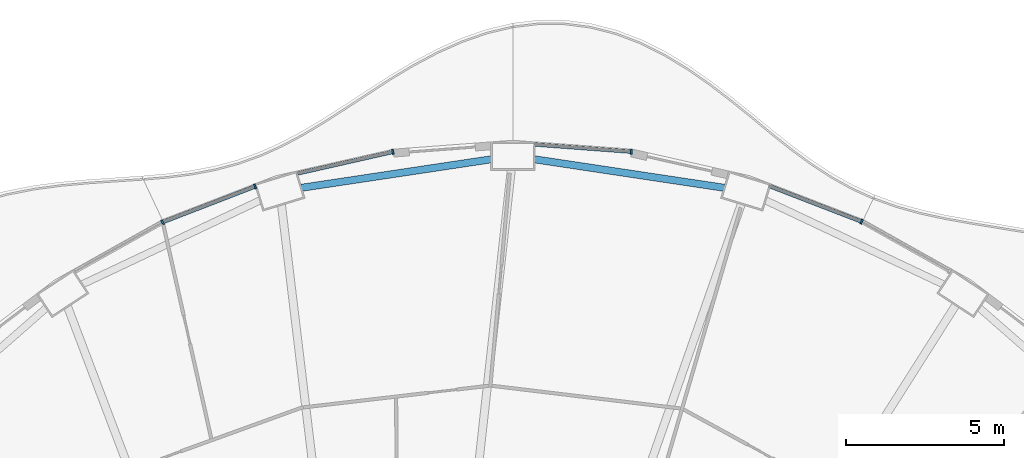
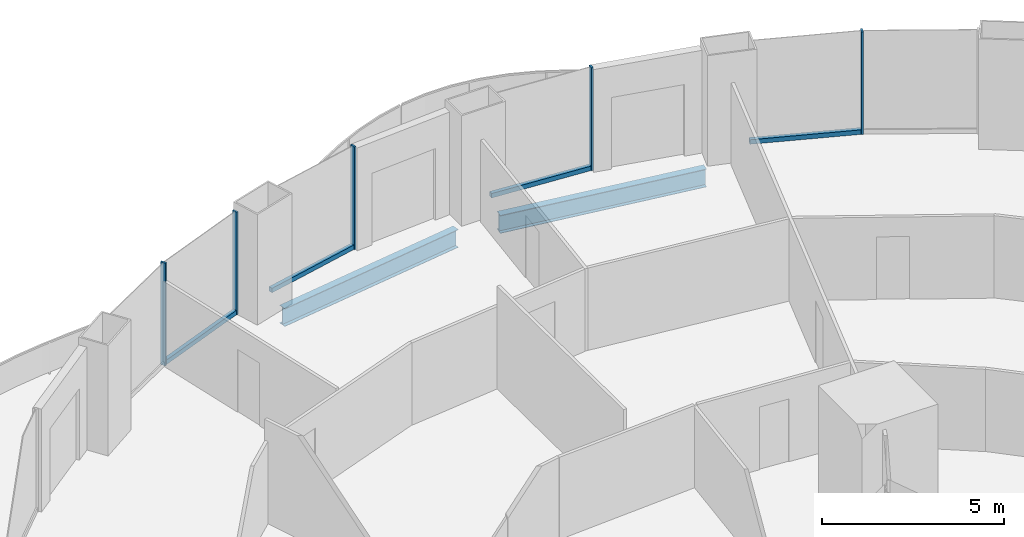
# One storey, part 11 of 22: 9 members, 2 beams, 5 elements without a shape of their own.
"""IFC4 building model written with IfcOpenShell, lengths in metres."""

from ifc_helpers import new_model, si_unit, direction, frame, origin, origin_2d, place, context, subcontext, project, spatial, rectangle, i_section, extrude, material, layer, layer_set, material_profile, profile_set, type_object, element, aggregate, save


model = new_model("IFC4")

# Units and contexts
model_context = context("Model", 3, precision=1e-05, world=origin(), true_north=direction((0.0, 1.0)))
body_context = subcontext(model_context, "Body", "Model", "MODEL_VIEW")
ifc_project = project(units=[si_unit("LENGTHUNIT", "METRE"), si_unit("AREAUNIT", "SQUARE_METRE"), si_unit("VOLUMEUNIT", "CUBIC_METRE"), si_unit("PLANEANGLEUNIT", "RADIAN"), si_unit("MASSUNIT", "GRAM", prefix="KILO")], contexts=[model_context])

# Site, building, storey
site_placement = place(None, origin())
site = spatial("IfcSite", under=ifc_project, at=site_placement, CompositionType="ELEMENT")
building_placement = place(site_placement, origin())
building = spatial("IfcBuilding", under=site, at=building_placement, Name="Nagisa Residences", CompositionType="ELEMENT")
storey_placement = place(building_placement, frame((0.0, 0.0, 45.5)))
storey = spatial("IfcBuildingStorey", under=building, at=storey_placement, Name="L10", CompositionType="ELEMENT", Elevation=45.5)

# Curtain wall, member
ifc_material_1 = material(Name="Concrete-coloured aluminium curtain wall system", Category="concrete")
ifc_layer = layer(ifc_material_1, 0.159912109375)
ifc_layer_set = layer_set([ifc_layer], Name="CW1 CURTAIN WALL")
curtain_wall_type = type_object("IfcCurtainWallType", Name="CW1 CURTAIN WALL", PredefinedType="NOTDEFINED", material=ifc_layer_set)
curtain_wall_1_placement = place(storey_placement, origin())
curtain_wall_1 = element("IfcCurtainWall", 1, at=curtain_wall_1_placement, inside=storey, type_object=curtain_wall_type, Name="cw:CW1:L10:09", PredefinedType="NOTDEFINED")
ifc_material_2 = material(Name="Concrete-coloured aluminium", Category="concrete")
ifc_material_profile_1 = material_profile(ifc_material_2, rectangle(XDim=0.159912109375, YDim=0.06005859375, at=origin_2d()), Name="CW1 MULLION 160x60")
ifc_profile_set_1 = profile_set([ifc_material_profile_1], Name="Concrete-coloured aluminium")
member_type_1 = type_object("IfcMemberType", Name="CW1 MULLION 160x60", PredefinedType="MULLION", material=ifc_profile_set_1)
member_1_placement = place(storey_placement, frame((14.64111328125, 30.42431640625, 0.0), z_axis=(0.0, 0.0, 1.0), x_axis=(-0.360327770268, -0.932825759707, 0.0)))
member_1 = element("IfcMember", 2, at=member_1_placement, type_object=member_type_1, Name="CW1 mullion", PredefinedType="MULLION", context=body_context, shape_type="SweptSolid", body=[
    extrude(rectangle(XDim=0.159912109375, YDim=0.06005859375, at=origin_2d()), origin(), (0.0, 0.0, 1.0), 3.43994140625),
])

curtain_wall_2_placement = place(storey_placement, origin())
curtain_wall_2 = element("IfcCurtainWall", 3, at=curtain_wall_2_placement, inside=storey, type_object=curtain_wall_type, Name="cw:CW1:L10:11", PredefinedType="NOTDEFINED")
member_2_placement = place(storey_placement, frame((7.349365234375, 32.64013671875, 0.0), z_axis=(0.0, 0.0, 1.0), x_axis=(-0.074377355493, -0.997230168512, 0.0)))
member_2 = element("IfcMember", 4, at=member_2_placement, type_object=member_type_1, Name="CW1 mullion", PredefinedType="MULLION", context=body_context, shape_type="SweptSolid", body=[
    extrude(rectangle(XDim=0.159912109375, YDim=0.06005859375, at=origin_2d()), origin(), (0.0, 0.0, 1.0), 3.43994140625),
])

curtain_wall_3_placement = place(storey_placement, origin())
curtain_wall_3 = element("IfcCurtainWall", 5, at=curtain_wall_3_placement, inside=storey, type_object=curtain_wall_type, Name="cw:CW1:L10:13", PredefinedType="NOTDEFINED")
member_3_placement = place(storey_placement, frame((-0.19677734375, 32.633056640625, 0.0), z_axis=(0.0, 0.0, 1.0), x_axis=(0.2207639201, -0.975327274089, 0.0)))
member_3 = element("IfcMember", 6, at=member_3_placement, type_object=member_type_1, Name="CW1 mullion", PredefinedType="MULLION", context=body_context, shape_type="SweptSolid", body=[
    extrude(rectangle(XDim=0.159912109375, YDim=0.06005859375, at=origin_2d()), origin(), (0.0, 0.0, 1.0), 3.43994140625),
])

curtain_wall_4_placement = place(storey_placement, origin())
curtain_wall_4 = element("IfcCurtainWall", 7, at=curtain_wall_4_placement, inside=storey, type_object=curtain_wall_type, Name="cw:CW1:L10:14", PredefinedType="NOTDEFINED")
member_4_placement = place(storey_placement, frame((-4.557861328125, 31.537841796875, 0.0), z_axis=(0.0, 0.0, 1.0), x_axis=(0.360327770268, -0.932825759707, 0.0)))
member_4 = element("IfcMember", 8, at=member_4_placement, type_object=member_type_1, Name="CW1 mullion", PredefinedType="MULLION", context=body_context, shape_type="SweptSolid", body=[
    extrude(rectangle(XDim=0.159912109375, YDim=0.06005859375, at=origin_2d()), origin(), (0.0, 0.0, 1.0), 3.43994140625),
])

curtain_wall_5_placement = place(storey_placement, origin())
curtain_wall_5 = element("IfcCurtainWall", 9, at=curtain_wall_5_placement, inside=storey, type_object=curtain_wall_type, Name="cw:CW1:L10:15", PredefinedType="NOTDEFINED")
member_5_placement = place(storey_placement, frame((-7.48486328125, 30.403564453125, 0.0), z_axis=(0.0, 0.0, 1.0), x_axis=(0.489376918501, -0.872072377523, 0.0)))
member_5 = element("IfcMember", 10, at=member_5_placement, type_object=member_type_1, Name="CW1 mullion", PredefinedType="MULLION", context=body_context, shape_type="SweptSolid", body=[
    extrude(rectangle(XDim=0.159912109375, YDim=0.06005859375, at=origin_2d()), origin(), (0.0, 0.0, 1.0), 3.43994140625),
])
aggregate(curtain_wall_5, [member_5])

# Member
ifc_material_3 = material(Name="Concrete-coloured aluminium", Category="concrete")
ifc_material_profile_2 = material_profile(ifc_material_3, rectangle(XDim=0.1201171875, YDim=0.14990234375, at=origin_2d()), Name="CW1 TRANSOM 120x150")
ifc_profile_set_2 = profile_set([ifc_material_profile_2], Name="Concrete-coloured aluminium")
member_type_2 = type_object("IfcMemberType", Name="CW1 TRANSOM 120x150", PredefinedType="USERDEFINED", material=ifc_profile_set_2)
member_6_placement = place(storey_placement, frame((14.6689453125, 30.413330078125, 0.074951171875), z_axis=(-0.932825366452, 0.360328788337, 0.0), x_axis=(-0.360328788337, -0.932825366452, 0.0)))
member_6 = element("IfcMember", 11, at=member_6_placement, type_object=member_type_2, Name="CW1 transom", ObjectType="TRANSOM", PredefinedType="USERDEFINED", context=body_context, shape_type="SweptSolid", body=[
    extrude(rectangle(XDim=0.1201171875, YDim=0.14990234375, at=origin_2d()), origin(), (0.0, 0.0, 1.0), 3.150634765625),
])

aggregate(curtain_wall_1, [member_1, member_6])

member_7_placement = place(storey_placement, frame((7.37939453125, 32.637939453125, 0.074951171875), z_axis=(-0.997231270995, 0.07436257224, 0.0), x_axis=(-0.07436257224, -0.997231270995, 0.0)))
member_7 = element("IfcMember", 12, at=member_7_placement, type_object=member_type_2, Name="CW1 transom", ObjectType="TRANSOM", PredefinedType="USERDEFINED", context=body_context, shape_type="SweptSolid", body=[
    extrude(rectangle(XDim=0.1201171875, YDim=0.14990234375, at=origin_2d()), origin(), (0.0, 0.0, 1.0), 3.095947265625),
])

aggregate(curtain_wall_2, [member_2, member_7])

member_8_placement = place(storey_placement, frame((-0.16748046875, 32.6396484375, 0.074951171875), z_axis=(-0.97533495413, -0.220729987208, 0.0), x_axis=(0.220729987208, -0.97533495413, 0.0)))
member_8 = element("IfcMember", 13, at=member_8_placement, type_object=member_type_2, Name="CW1 transom", ObjectType="TRANSOM", PredefinedType="USERDEFINED", context=body_context, shape_type="SweptSolid", body=[
    extrude(rectangle(XDim=0.1201171875, YDim=0.14990234375, at=origin_2d()), origin(), (0.0, 0.0, 1.0), 3.11474609375),
])

aggregate(curtain_wall_3, [member_3, member_8])

member_9_placement = place(storey_placement, frame((-4.52978515625, 31.548583984375, 0.074951171875), z_axis=(-0.932835426425, -0.360302743822, 0.0), x_axis=(0.360302743822, -0.932835426425, 0.0)))
member_9 = element("IfcMember", 14, at=member_9_placement, type_object=member_type_2, Name="CW1 transom", ObjectType="TRANSOM", PredefinedType="USERDEFINED", context=body_context, shape_type="SweptSolid", body=[
    extrude(rectangle(XDim=0.1201171875, YDim=0.14990234375, at=origin_2d()), origin(), (0.0, 0.0, 1.0), 3.15087890625),
])

aggregate(curtain_wall_4, [member_4, member_9])

# Beams
ifc_material_4 = material(Name="Steel ASTM A572 Gr 50", Category="steel")
ifc_material_profile_3 = material_profile(ifc_material_4, i_section(OverallWidth=0.22802734375, OverallDepth=0.60302734375, WebThickness=0.010498046875, FlangeThickness=0.014892578125, at=origin_2d()), Name="W610x101")
ifc_profile_set_3 = profile_set([ifc_material_profile_3], Name="Steel ASTM A572 Gr 50")
beam_type = type_object("IfcBeamType", Name="Perimeter ring beam W610x101", PredefinedType="BEAM", material=ifc_profile_set_3)
for number, where, z_axis, x_axis, name in (
    (15, (10.29638671875, 31.49462890625, -0.5615234375), (-0.988914559467, 0.14848566959, 0.0), (-0.14848566959, -0.988914559467, 0.0), "beam:L10:pb06"),
    (16, (2.919677734375, 32.39794921875, -0.5615234375), (-0.988914559467, -0.14848566959, 0.0), (0.14848566959, -0.988914559467, 0.0), "beam:L10:pb07"),
):
    element("IfcBeam", number, at=place(storey_placement, frame(where, z_axis=z_axis, x_axis=x_axis)), inside=storey, type_object=beam_type, Name=name, PredefinedType="BEAM", context=body_context, shape_type="SweptSolid", body=[
        extrude(i_section(OverallWidth=0.22802734375, OverallDepth=0.60302734375, WebThickness=0.010498046875, FlangeThickness=0.014892578125, at=origin_2d()), origin(), (0.0, 0.0, 1.0), 6.08349609375),
    ])

save(model, "model.ifc")
